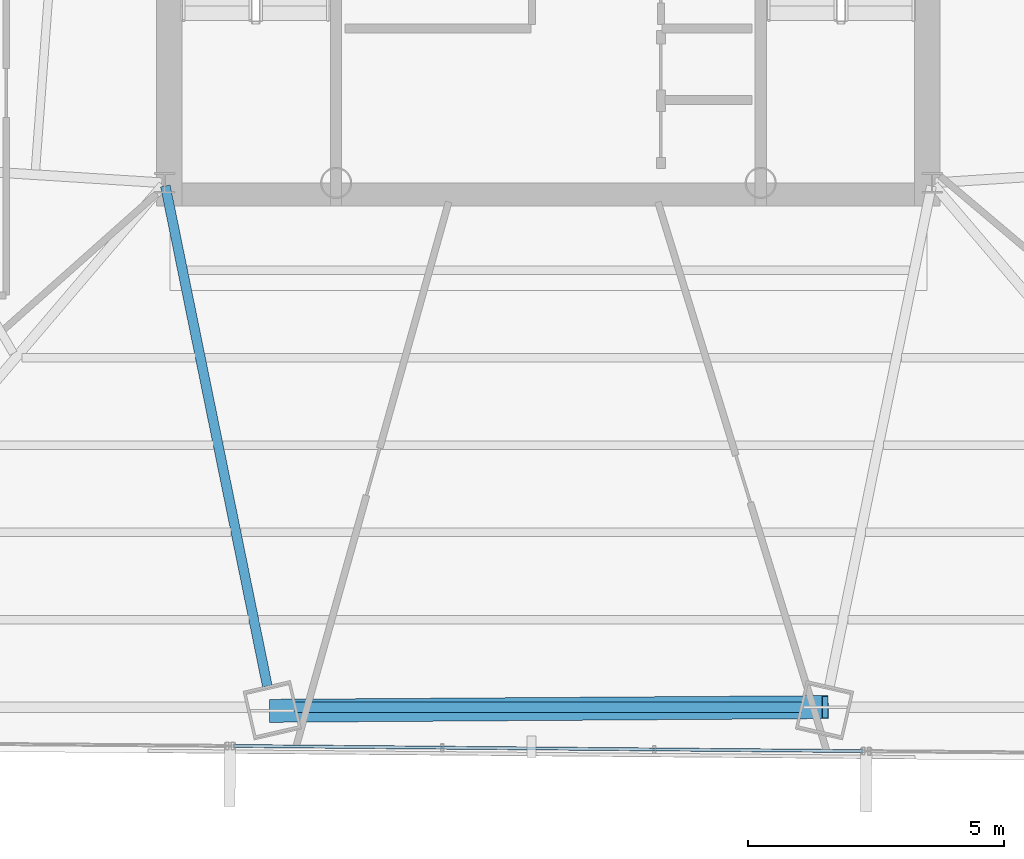
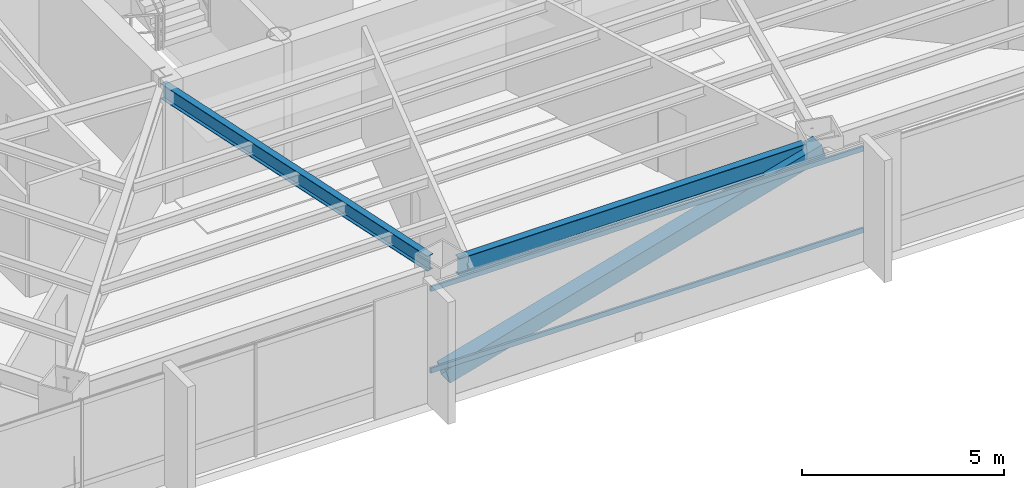
# One storey, part 9 of 39: 3 members, 2 beams, 1 element without a shape of its own.
"""IFC4 building model written with IfcOpenShell, lengths in metres."""

import ifcopenshell
import ifcopenshell.guid

model = None  # the IFC model being written
_history = None  # IfcOwnerHistory: only IFC2X3 demands one
_inside = {}  # id of a spatial element -> (the spatial element, [elements in it])
_under = {}  # id of a project, library or spatial element -> (it, [spatial elements below it])
_declared = {}  # id of a project -> (the project, [libraries it declares])
_typed = {}  # id of a type object -> (the type object, [elements of that type])
_made_of = {}  # id of a material, layer set ... -> (it, [elements and type objects made of it])


def new_model(schema):
    """Start an empty IFC model of exactly this schema.

    Asked for "IFC4X3", IfcOpenShell would pick the latest addendum, in which some entities
    have other attributes; the version numbers below select the first issue.
    IFC2X3 requires an IfcOwnerHistory on every rooted entity: one is made here for all.
    """
    global model, _history
    if schema == "IFC4X3":
        model = ifcopenshell.file(schema_version=(4, 3, 0, 0))
    else:
        model = ifcopenshell.file(schema=schema)
    _inside.clear()
    _under.clear()
    _declared.clear()
    _typed.clear()
    _made_of.clear()
    _history = None
    if model.schema == "IFC2X3":
        org = make("IfcOrganization", Name="unknown")
        user = make(
            "IfcPersonAndOrganization",
            ThePerson=make("IfcPerson", FamilyName="unknown"),
            TheOrganization=org,
        )
        app = make(
            "IfcApplication",
            ApplicationDeveloper=org,
            Version="unknown",
            ApplicationFullName="unknown",
            ApplicationIdentifier="unknown",
        )
        _history = make(
            "IfcOwnerHistory",
            OwningUser=user,
            OwningApplication=app,
            ChangeAction="ADDED",
            CreationDate=0,
        )
    return model


def make(cls, **values):
    """One entity of the class cls with the attributes given. An attribute that is None is left unset."""
    return model.create_entity(
        cls, **{name: value for name, value in values.items() if value is not None}
    )


def rooted(cls, **values):
    """An entity with a GlobalId (a new one), such as an element, a storey or a relation."""
    return make(cls, GlobalId=ifcopenshell.guid.new(), OwnerHistory=_history, **values)


def si_unit(unit_type, name, prefix=None):
    """IfcSIUnit, for example si_unit("LENGTHUNIT", "METRE", prefix="MILLI")."""
    return make("IfcSIUnit", UnitType=unit_type, Prefix=prefix, Name=name)


def assignment(units):
    """IfcUnitAssignment: the units of a project."""
    return None if units is None else make("IfcUnitAssignment", Units=units)


def point(xyz):
    """IfcCartesianPoint."""
    return None if xyz is None else make("IfcCartesianPoint", Coordinates=xyz)


def direction(xyz):
    """IfcDirection."""
    return None if xyz is None else make("IfcDirection", DirectionRatios=xyz)


def frame(location, z_axis=None, x_axis=None):
    """IfcAxis2Placement3D, a coordinate frame: its origin and axes. An axis left out is left unset."""
    return make(
        "IfcAxis2Placement3D",
        Location=point(location),
        Axis=direction(z_axis),
        RefDirection=direction(x_axis),
    )


def frame_2d(location, x_axis=None):
    """IfcAxis2Placement2D, a coordinate frame in the plane: its origin and x axis."""
    return make(
        "IfcAxis2Placement2D", Location=point(location), RefDirection=direction(x_axis)
    )


def origin():
    """The frame at (0, 0, 0) with its axes left unset."""
    return frame((0.0, 0.0, 0.0))


def origin_2d():
    """The frame at (0, 0) in the plane with its x axis left unset."""
    return frame_2d((0.0, 0.0))


def place(relative_to, where):
    """IfcLocalPlacement: puts the frame where relative to a parent placement (None: the world)."""
    return make(
        "IfcLocalPlacement", PlacementRelTo=relative_to, RelativePlacement=where
    )


def context(
    kind, dimensions, precision=None, world=None, true_north=None, identifier=None
):
    """IfcGeometricRepresentationContext, for example the 3D "Model" context."""
    return make(
        "IfcGeometricRepresentationContext",
        ContextIdentifier=identifier,
        ContextType=kind,
        CoordinateSpaceDimension=dimensions,
        Precision=precision,
        WorldCoordinateSystem=world,
        TrueNorth=true_north,
    )


def subcontext(parent, identifier, kind, view, scale=None):
    """IfcGeometricRepresentationSubContext, for example "Body" below "Model"."""
    return make(
        "IfcGeometricRepresentationSubContext",
        ContextIdentifier=identifier,
        ContextType=kind,
        ParentContext=parent,
        TargetScale=scale,
        TargetView=view,
    )


def project(units=None, contexts=None):
    """IfcProject with its units and contexts."""
    return rooted(
        "IfcProject",
        Name="project",
        RepresentationContexts=contexts,
        UnitsInContext=assignment(units),
    )


def spatial(cls, under=None, at=None, **own):
    """A site, building, storey or space (cls), placed at a placement, below another one or the project."""
    s = rooted(cls, ObjectPlacement=at, **own)
    if under is not None:
        _under.setdefault(under.id(), (under, []))[1].append(s)
    return s


def profile(cls, at=None, kind="AREA", **sizes):
    """A parametric profile (cls). Its sizes go by their IFC names, for example OverallWidth=200.0."""
    return make(cls, ProfileType=kind, Position=at, **sizes)


def hollow_rectangle(**sizes):
    """IfcRectangleHollowProfileDef."""
    return profile("IfcRectangleHollowProfileDef", **sizes)


def i_section(**sizes):
    """IfcIShapeProfileDef."""
    return profile("IfcIShapeProfileDef", **sizes)


def extrude(swept, where, along, depth):
    """IfcExtrudedAreaSolid: the profile swept, set in the frame where, extruded along a direction by depth."""
    return make(
        "IfcExtrudedAreaSolid",
        SweptArea=swept,
        Position=where,
        ExtrudedDirection=direction(along),
        Depth=depth,
    )


def shape(context_of_items, identifier, shape_type, items):
    """IfcShapeRepresentation: the items that make up one representation, for example the "Body"."""
    return make(
        "IfcShapeRepresentation",
        ContextOfItems=context_of_items,
        RepresentationIdentifier=identifier,
        RepresentationType=shape_type,
        Items=items,
    )


def source(mapping_origin, context_of_items, identifier, shape_type, items):
    """IfcRepresentationMap: a shape defined once, which mapped items show again and again."""
    return make(
        "IfcRepresentationMap",
        MappingOrigin=mapping_origin,
        MappedRepresentation=shape(context_of_items, identifier, shape_type, items),
    )


def transform(
    local_origin,
    x_axis=None,
    y_axis=None,
    z_axis=None,
    scale=None,
    scale2=None,
    scale3=None,
    uniform=True,
):
    """IfcCartesianTransformationOperator3D, or its non-uniform kind. x_axis, y_axis, z_axis: its Axis1, 2, 3."""
    if uniform:
        return make(
            "IfcCartesianTransformationOperator3D",
            Axis1=direction(x_axis),
            Axis2=direction(y_axis),
            LocalOrigin=point(local_origin),
            Scale=scale,
            Axis3=direction(z_axis),
        )
    return make(
        "IfcCartesianTransformationOperator3DnonUniform",
        Axis1=direction(x_axis),
        Axis2=direction(y_axis),
        LocalOrigin=point(local_origin),
        Scale=scale,
        Axis3=direction(z_axis),
        Scale2=scale2,
        Scale3=scale3,
    )


def mapped(mapping_source, mapping_target):
    """IfcMappedItem: shows the shape of a source again, moved by a transform."""
    return make(
        "IfcMappedItem", MappingSource=mapping_source, MappingTarget=mapping_target
    )


def material(Name=None, Category=None):
    """IfcMaterial."""
    return make("IfcMaterial", Name=Name, Category=Category)


def material_profile(
    of_material, cross_section, Name=None, Category=None, Priority=None
):
    """IfcMaterialProfile: a cross section and its material."""
    return make(
        "IfcMaterialProfile",
        Name=Name,
        Material=of_material,
        Profile=cross_section,
        Priority=Priority,
        Category=Category,
    )


def profile_set(profiles, Name=None, composite=None):
    """IfcMaterialProfileSet."""
    return make(
        "IfcMaterialProfileSet",
        Name=Name,
        MaterialProfiles=profiles,
        CompositeProfile=composite,
    )


def made_of(thing, what):
    """Note that an element or type object is made of a material, layer set ...; save() writes the relation."""
    if what is not None:
        _made_of.setdefault(what.id(), (what, []))[1].append(thing)
    return thing


def type_object(cls, material=None, **own):
    """A type object (cls), such as IfcWallType, which elements share."""
    return made_of(rooted(cls, **own), material)


def type_shapes(of_type, sources):
    """Give a type object the sources (RepresentationMaps) that its elements show as mapped items."""
    of_type.RepresentationMaps = sources


def element(
    cls,
    number,
    at=None,
    inside=None,
    cuts=None,
    type_object=None,
    material=None,
    context=None,
    identifier="Body",
    shape_type=None,
    held_by="IfcProductDefinitionShape",
    body=None,
    shapes=None,
    **own,
):
    """One element of the class cls, such as IfcWall. Its Tag is "e" and its number.

    at: its placement. inside: the storey or other place that contains it. cuts: it is an
    opening in that element (IfcRelVoidsElement). A single representation is given by context,
    identifier, shape_type and body (its items); several are given by shapes. held_by: the class
    of the entity that holds the representations. save() writes the other relations.
    """
    e = rooted(cls, Tag="e%d" % number, ObjectPlacement=at, **own)
    if body is not None:
        shapes = [shape(context, identifier, shape_type, body)]
    if shapes is not None:
        e.Representation = make(held_by, Representations=shapes)
    if inside is not None:
        _inside.setdefault(inside.id(), (inside, []))[1].append(e)
    if cuts is not None:
        rooted(
            "IfcRelVoidsElement", RelatingBuildingElement=cuts, RelatedOpeningElement=e
        )
    if type_object is not None:
        _typed.setdefault(type_object.id(), (type_object, []))[1].append(e)
    return made_of(e, material)


def aggregate(whole, parts):
    """IfcRelAggregates: a whole, such as a stair, and the parts it consists of."""
    return rooted("IfcRelAggregates", RelatingObject=whole, RelatedObjects=parts)


def save(model, path):
    """Write the relations noted so far, then the file.

    IfcRelAggregates (storeys below a building ...), IfcRelContainedInSpatialStructure (elements
    in a storey), IfcRelDefinesByType, IfcRelAssociatesMaterial and IfcRelDeclares: one each for
    every whole, place, type object, material and project.
    """
    for whole, parts in _under.values():
        aggregate(whole, parts)
    for where, things in _inside.values():
        rooted(
            "IfcRelContainedInSpatialStructure",
            RelatedElements=things,
            RelatingStructure=where,
        )
    for kind, things in _typed.values():
        rooted("IfcRelDefinesByType", RelatedObjects=things, RelatingType=kind)
    for what, things in _made_of.values():
        rooted("IfcRelAssociatesMaterial", RelatedObjects=things, RelatingMaterial=what)
    for by, libraries in _declared.values():
        rooted("IfcRelDeclares", RelatingContext=by, RelatedDefinitions=libraries)
    model.write(path)


model = new_model("IFC4")

# Units and contexts
model_context = context("Model", 3, precision=1e-05, world=origin(), true_north=direction((0.0, 1.0)))
body_context = subcontext(model_context, "Body", "Model", "MODEL_VIEW")
ifc_project = project(units=[si_unit("LENGTHUNIT", "METRE"), si_unit("AREAUNIT", "SQUARE_METRE"), si_unit("VOLUMEUNIT", "CUBIC_METRE"), si_unit("PLANEANGLEUNIT", "RADIAN"), si_unit("MASSUNIT", "GRAM", prefix="KILO")], contexts=[model_context])

# Site, building, storey
site_placement = place(None, origin())
site = spatial("IfcSite", under=ifc_project, at=site_placement, CompositionType="ELEMENT")
building_placement = place(site_placement, origin())
building = spatial("IfcBuilding", under=site, at=building_placement, Name="Caelisora Broadcast Tower", CompositionType="ELEMENT")
storey_placement = place(building_placement, frame((0.0, 0.0, 142.75)))
storey = spatial("IfcBuildingStorey", under=building, at=storey_placement, Name="L37", CompositionType="ELEMENT", Elevation=142.75)

# Beams
ifc_material_1 = material(Name="Steel Grade 350 (AS/NZS 3679.1)", Category="steel")
ifc_material_profile_1 = material_profile(ifc_material_1, i_section(OverallWidth=0.208984375, OverallDepth=0.532958984375, WebThickness=0.01025390625, FlangeThickness=0.015625, at=origin_2d()), Name="Steel Grade 350 (AS/NZS 3679.1)")
ifc_profile_set_1 = profile_set([ifc_material_profile_1], Name="Steel Grade 350 (AS/NZS 3679.1)")
beam_type_1 = type_object("IfcBeamType", Name="PG05", PredefinedType="BEAM", material=ifc_profile_set_1)
shared_shape_1 = source(origin(), body_context, "Body", "SweptSolid", [
    extrude(i_section(OverallWidth=0.208984375, OverallDepth=0.532958984375, WebThickness=0.01025390625, FlangeThickness=0.015625, at=origin_2d()), origin(), (0.0, 0.0, 1.0), 9.9013671875),
])
type_shapes(beam_type_1, [shared_shape_1])
beam_1_placement = place(storey_placement, frame((33.04931640625, 7.153076171875, 3.133544921875), z_axis=(1.0, 0.0, 0.0), x_axis=(0.0, 1.0, 0.0)))
element("IfcBeam", 1, at=beam_1_placement, inside=storey, type_object=beam_type_1, Name="L37 beam PG05", PredefinedType="BEAM", context=body_context, shape_type="MappedRepresentation", body=[
    mapped(shared_shape_1, transform((0.0, 0.0, 0.0), scale=1.0)),
])
ifc_material_profile_2 = material_profile(ifc_material_1, i_section(OverallWidth=0.19091796875, OverallDepth=0.46044921875, WebThickness=0.010009765625, FlangeThickness=0.01611328125, at=origin_2d()), Name="Steel Grade 350 (AS/NZS 3679.1)")
ifc_profile_set_2 = profile_set([ifc_material_profile_2], Name="Steel Grade 350 (AS/NZS 3679.1)")
beam_type_2 = type_object("IfcBeamType", Name="PG06", PredefinedType="BEAM", material=ifc_profile_set_2)
shared_shape_2 = source(origin(), body_context, "Body", "SweptSolid", [
    extrude(i_section(OverallWidth=0.19091796875, OverallDepth=0.46044921875, WebThickness=0.010009765625, FlangeThickness=0.01611328125, at=origin_2d()), origin(), (0.0, 0.0, 1.0), 9.977783203125),
])
type_shapes(beam_type_2, [shared_shape_2])
beam_2_placement = place(storey_placement, frame((30.511962890625, 17.34130859375, 3.169921875), z_axis=(0.199785031387, -0.979839752834, 0.0), x_axis=(0.979839752834, 0.199785031387, 0.0)))
element("IfcBeam", 2, at=beam_2_placement, inside=storey, type_object=beam_type_2, Name="L37 beam PG06", PredefinedType="BEAM", context=body_context, shape_type="MappedRepresentation", body=[
    mapped(shared_shape_2, transform((0.0, 0.0, 0.0), scale=1.0)),
])

# Member
ifc_material_2 = material(Name="Steel Grade 450 (AS/NZS 1163 C450L0)", Category="steel")
ifc_material_profile_3 = material_profile(ifc_material_2, hollow_rectangle(XDim=0.449951171875, YDim=0.449951171875, WallThickness=0.01611328125, at=origin_2d()), Name="Steel Grade 450 (AS/NZS 1163 C450L0)")
ifc_profile_set_3 = profile_set([ifc_material_profile_3], Name="Steel Grade 450 (AS/NZS 1163 C450L0)")
member_type_1 = type_object("IfcMemberType", Name="BR03", PredefinedType="BRACE", material=ifc_profile_set_3)
shared_shape_3 = source(origin(), body_context, "Body", "SweptSolid", [
    extrude(hollow_rectangle(XDim=0.449951171875, YDim=0.449951171875, WallThickness=0.01611328125, at=origin_2d()), origin(), (0.0, 0.0, 1.0), 11.214111328125),
])
type_shapes(member_type_1, [shared_shape_3])
member_1_placement = place(storey_placement, frame((32.605712890625, 7.080810546875, 0.10009765625), z_axis=(0.963530957672, 0.006444149385, 0.267519282568), x_axis=(-0.006687906823, 0.999977635701, 0.0)))
element("IfcMember", 3, at=member_1_placement, inside=storey, type_object=member_type_1, Name="L37 perimeter brace BR03", PredefinedType="BRACE", context=body_context, shape_type="MappedRepresentation", body=[
    mapped(shared_shape_3, transform((0.0, 0.0, 0.0), scale=1.0)),
])

# Curtain wall, members
ifc_material_3 = material(Name="Unitised Aluminium Insulated Shadow-Box Spandrel Curtain Wall", Category="aluminium")
curtain_wall_type = type_object("IfcCurtainWallType", Name="CW-SP2", PredefinedType="NOTDEFINED", material=ifc_material_3)
curtain_wall_placement = place(storey_placement, origin())
curtain_wall = element("IfcCurtainWall", 4, at=curtain_wall_placement, inside=storey, type_object=curtain_wall_type, Name="L37 curtain wall CW-SP2", PredefinedType="NOTDEFINED")
ifc_material_4 = material(Name="Aluminium 6063-T6 Anodised Terracotta Bronze", Category="aluminium")
ifc_material_profile_4 = material_profile(ifc_material_4, hollow_rectangle(XDim=0.06005859375, YDim=0.14990234375, WallThickness=0.00341796875, at=origin_2d()), Name="Aluminium 6063-T6 Anodised Terracotta Bronze")
ifc_profile_set_4 = profile_set([ifc_material_profile_4], Name="Aluminium 6063-T6 Anodised Terracotta Bronze")
member_type_2 = type_object("IfcMemberType", Name="CWT-02", PredefinedType="USERDEFINED", material=ifc_profile_set_4)
shared_shape_4 = source(origin(), body_context, "Body", "SweptSolid", [
    extrude(hollow_rectangle(XDim=0.06005859375, YDim=0.14990234375, WallThickness=0.00341796875, at=origin_2d()), origin(), (0.0, 0.0, 1.0), 12.32861328125),
])
type_shapes(member_type_2, [shared_shape_4])
member_2_placement = place(storey_placement, frame((44.157958984375, 6.292724609375, 0.85009765625), z_axis=(-0.999966392606, 0.008198393666, 0.0), x_axis=(-0.008198393666, -0.999966392606, 0.0)))
member_2 = element("IfcMember", 5, at=member_2_placement, type_object=member_type_2, Name="L37-CW-B06 transom #1", ObjectType="TRANSOM", PredefinedType="USERDEFINED", context=body_context, shape_type="MappedRepresentation", body=[
    mapped(shared_shape_4, transform((0.0, 0.0, 0.0), scale=1.0)),
])
member_3_placement = place(storey_placement, frame((44.157958984375, 6.292724609375, 3.320068359375), z_axis=(-0.999966392606, 0.008198393666, 0.0), x_axis=(-0.008198393666, -0.999966392606, 0.0)))
member_3 = element("IfcMember", 6, at=member_3_placement, type_object=member_type_2, Name="L37-CW-B06 transom #2", ObjectType="TRANSOM", PredefinedType="USERDEFINED", context=body_context, shape_type="MappedRepresentation", body=[
    mapped(shared_shape_4, transform((0.0, 0.0, 0.0), scale=1.0)),
])
aggregate(curtain_wall, [member_2, member_3])

save(model, "model.ifc")
